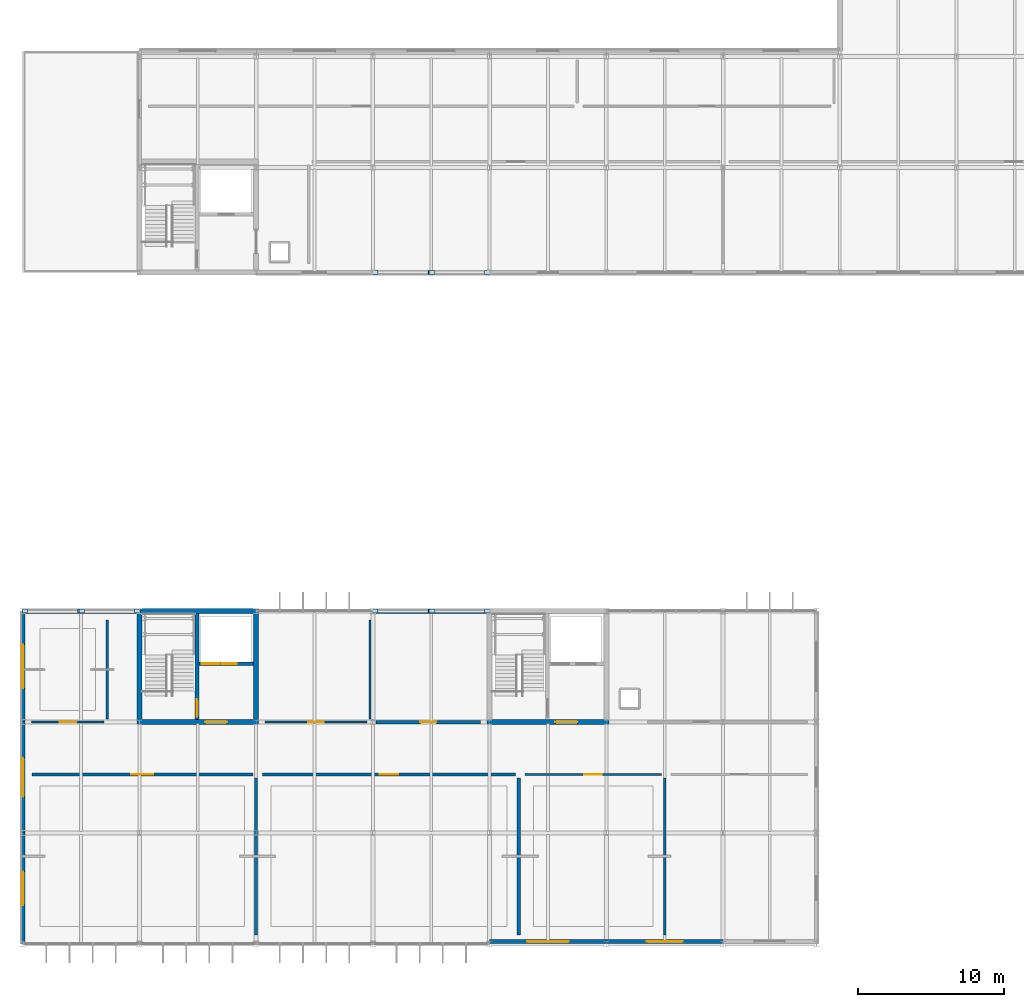
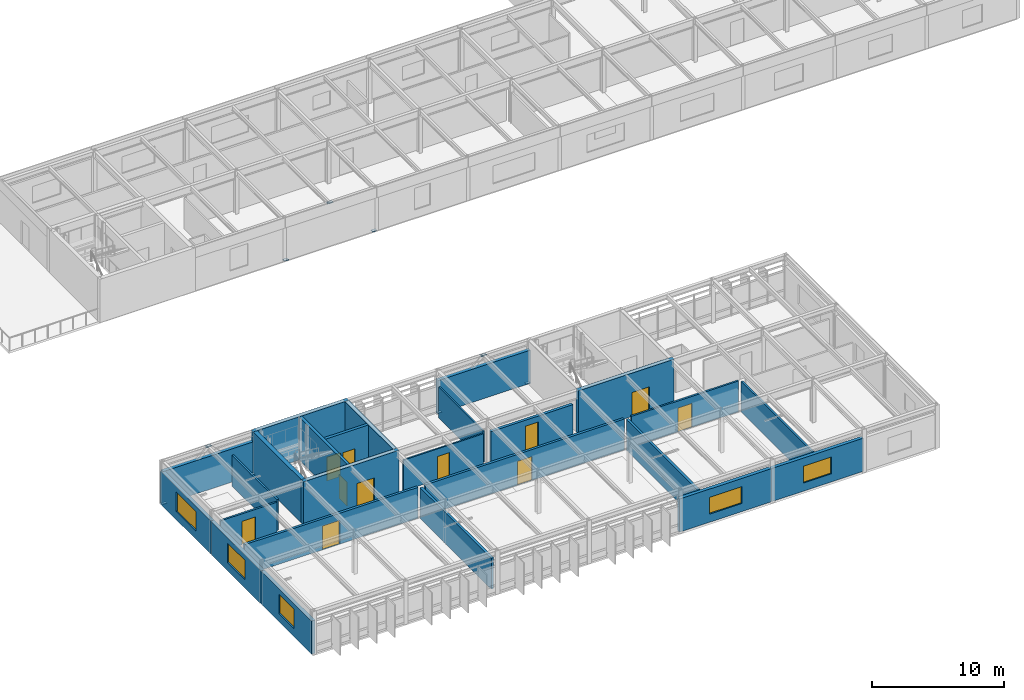
# One storey, part 23 of 33: 25 walls, 12 plates, 11 doors, 5 windows, 16 openings.
"""IFC4 building model written with IfcOpenShell, lengths in metres."""

import ifcopenshell
import ifcopenshell.guid

model = None  # the IFC model being written
_history = None  # IfcOwnerHistory: only IFC2X3 demands one
_inside = {}  # id of a spatial element -> (the spatial element, [elements in it])
_under = {}  # id of a project, library or spatial element -> (it, [spatial elements below it])
_declared = {}  # id of a project -> (the project, [libraries it declares])
_typed = {}  # id of a type object -> (the type object, [elements of that type])
_made_of = {}  # id of a material, layer set ... -> (it, [elements and type objects made of it])


def new_model(schema):
    """Start an empty IFC model of exactly this schema.

    Asked for "IFC4X3", IfcOpenShell would pick the latest addendum, in which some entities
    have other attributes; the version numbers below select the first issue.
    IFC2X3 requires an IfcOwnerHistory on every rooted entity: one is made here for all.
    """
    global model, _history
    if schema == "IFC4X3":
        model = ifcopenshell.file(schema_version=(4, 3, 0, 0))
    else:
        model = ifcopenshell.file(schema=schema)
    _inside.clear()
    _under.clear()
    _declared.clear()
    _typed.clear()
    _made_of.clear()
    _history = None
    if model.schema == "IFC2X3":
        org = make("IfcOrganization", Name="unknown")
        user = make(
            "IfcPersonAndOrganization",
            ThePerson=make("IfcPerson", FamilyName="unknown"),
            TheOrganization=org,
        )
        app = make(
            "IfcApplication",
            ApplicationDeveloper=org,
            Version="unknown",
            ApplicationFullName="unknown",
            ApplicationIdentifier="unknown",
        )
        _history = make(
            "IfcOwnerHistory",
            OwningUser=user,
            OwningApplication=app,
            ChangeAction="ADDED",
            CreationDate=0,
        )
    return model


def make(cls, **values):
    """One entity of the class cls with the attributes given. An attribute that is None is left unset."""
    return model.create_entity(
        cls, **{name: value for name, value in values.items() if value is not None}
    )


def rooted(cls, **values):
    """An entity with a GlobalId (a new one), such as an element, a storey or a relation."""
    return make(cls, GlobalId=ifcopenshell.guid.new(), OwnerHistory=_history, **values)


def si_unit(unit_type, name, prefix=None):
    """IfcSIUnit, for example si_unit("LENGTHUNIT", "METRE", prefix="MILLI")."""
    return make("IfcSIUnit", UnitType=unit_type, Prefix=prefix, Name=name)


def assignment(units):
    """IfcUnitAssignment: the units of a project."""
    return None if units is None else make("IfcUnitAssignment", Units=units)


def point(xyz):
    """IfcCartesianPoint."""
    return None if xyz is None else make("IfcCartesianPoint", Coordinates=xyz)


def direction(xyz):
    """IfcDirection."""
    return None if xyz is None else make("IfcDirection", DirectionRatios=xyz)


def frame(location, z_axis=None, x_axis=None):
    """IfcAxis2Placement3D, a coordinate frame: its origin and axes. An axis left out is left unset."""
    return make(
        "IfcAxis2Placement3D",
        Location=point(location),
        Axis=direction(z_axis),
        RefDirection=direction(x_axis),
    )


def frame_2d(location, x_axis=None):
    """IfcAxis2Placement2D, a coordinate frame in the plane: its origin and x axis."""
    return make(
        "IfcAxis2Placement2D", Location=point(location), RefDirection=direction(x_axis)
    )


def origin():
    """The frame at (0, 0, 0) with its axes left unset."""
    return frame((0.0, 0.0, 0.0))


def origin_2d():
    """The frame at (0, 0) in the plane with its x axis left unset."""
    return frame_2d((0.0, 0.0))


def place(relative_to, where):
    """IfcLocalPlacement: puts the frame where relative to a parent placement (None: the world)."""
    return make(
        "IfcLocalPlacement", PlacementRelTo=relative_to, RelativePlacement=where
    )


def context(
    kind, dimensions, precision=None, world=None, true_north=None, identifier=None
):
    """IfcGeometricRepresentationContext, for example the 3D "Model" context."""
    return make(
        "IfcGeometricRepresentationContext",
        ContextIdentifier=identifier,
        ContextType=kind,
        CoordinateSpaceDimension=dimensions,
        Precision=precision,
        WorldCoordinateSystem=world,
        TrueNorth=true_north,
    )


def subcontext(parent, identifier, kind, view, scale=None):
    """IfcGeometricRepresentationSubContext, for example "Body" below "Model"."""
    return make(
        "IfcGeometricRepresentationSubContext",
        ContextIdentifier=identifier,
        ContextType=kind,
        ParentContext=parent,
        TargetScale=scale,
        TargetView=view,
    )


def project(units=None, contexts=None):
    """IfcProject with its units and contexts."""
    return rooted(
        "IfcProject",
        Name="project",
        RepresentationContexts=contexts,
        UnitsInContext=assignment(units),
    )


def spatial(cls, under=None, at=None, **own):
    """A site, building, storey or space (cls), placed at a placement, below another one or the project."""
    s = rooted(cls, ObjectPlacement=at, **own)
    if under is not None:
        _under.setdefault(under.id(), (under, []))[1].append(s)
    return s


def profile(cls, at=None, kind="AREA", **sizes):
    """A parametric profile (cls). Its sizes go by their IFC names, for example OverallWidth=200.0."""
    return make(cls, ProfileType=kind, Position=at, **sizes)


def rectangle(**sizes):
    """IfcRectangleProfileDef."""
    return profile("IfcRectangleProfileDef", **sizes)


def extrude(swept, where, along, depth):
    """IfcExtrudedAreaSolid: the profile swept, set in the frame where, extruded along a direction by depth."""
    return make(
        "IfcExtrudedAreaSolid",
        SweptArea=swept,
        Position=where,
        ExtrudedDirection=direction(along),
        Depth=depth,
    )


def shape(context_of_items, identifier, shape_type, items):
    """IfcShapeRepresentation: the items that make up one representation, for example the "Body"."""
    return make(
        "IfcShapeRepresentation",
        ContextOfItems=context_of_items,
        RepresentationIdentifier=identifier,
        RepresentationType=shape_type,
        Items=items,
    )


def material(Name=None, Category=None):
    """IfcMaterial."""
    return make("IfcMaterial", Name=Name, Category=Category)


def layer(
    of_material, thickness, ventilated=None, Name=None, Category=None, Priority=None
):
    """IfcMaterialLayer: one layer of a wall or slab, of a material (None: an air gap)."""
    return make(
        "IfcMaterialLayer",
        Material=of_material,
        LayerThickness=thickness,
        IsVentilated=ventilated,
        Name=Name,
        Category=Category,
        Priority=Priority,
    )


def layer_set(layers, Name=None):
    """IfcMaterialLayerSet."""
    return make("IfcMaterialLayerSet", MaterialLayers=layers, LayerSetName=Name)


def made_of(thing, what):
    """Note that an element or type object is made of a material, layer set ...; save() writes the relation."""
    if what is not None:
        _made_of.setdefault(what.id(), (what, []))[1].append(thing)
    return thing


def type_object(cls, material=None, **own):
    """A type object (cls), such as IfcWallType, which elements share."""
    return made_of(rooted(cls, **own), material)


def element(
    cls,
    number,
    at=None,
    inside=None,
    cuts=None,
    type_object=None,
    material=None,
    context=None,
    identifier="Body",
    shape_type=None,
    held_by="IfcProductDefinitionShape",
    body=None,
    shapes=None,
    **own,
):
    """One element of the class cls, such as IfcWall. Its Tag is "e" and its number.

    at: its placement. inside: the storey or other place that contains it. cuts: it is an
    opening in that element (IfcRelVoidsElement). A single representation is given by context,
    identifier, shape_type and body (its items); several are given by shapes. held_by: the class
    of the entity that holds the representations. save() writes the other relations.
    """
    e = rooted(cls, Tag="e%d" % number, ObjectPlacement=at, **own)
    if body is not None:
        shapes = [shape(context, identifier, shape_type, body)]
    if shapes is not None:
        e.Representation = make(held_by, Representations=shapes)
    if inside is not None:
        _inside.setdefault(inside.id(), (inside, []))[1].append(e)
    if cuts is not None:
        rooted(
            "IfcRelVoidsElement", RelatingBuildingElement=cuts, RelatedOpeningElement=e
        )
    if type_object is not None:
        _typed.setdefault(type_object.id(), (type_object, []))[1].append(e)
    return made_of(e, material)


def fill(opening, filler):
    """IfcRelFillsElement: the door or window that sits in an opening."""
    return rooted(
        "IfcRelFillsElement",
        RelatingOpeningElement=opening,
        RelatedBuildingElement=filler,
    )


def aggregate(whole, parts):
    """IfcRelAggregates: a whole, such as a stair, and the parts it consists of."""
    return rooted("IfcRelAggregates", RelatingObject=whole, RelatedObjects=parts)


def save(model, path):
    """Write the relations noted so far, then the file.

    IfcRelAggregates (storeys below a building ...), IfcRelContainedInSpatialStructure (elements
    in a storey), IfcRelDefinesByType, IfcRelAssociatesMaterial and IfcRelDeclares: one each for
    every whole, place, type object, material and project.
    """
    for whole, parts in _under.values():
        aggregate(whole, parts)
    for where, things in _inside.values():
        rooted(
            "IfcRelContainedInSpatialStructure",
            RelatedElements=things,
            RelatingStructure=where,
        )
    for kind, things in _typed.values():
        rooted("IfcRelDefinesByType", RelatedObjects=things, RelatingType=kind)
    for what, things in _made_of.values():
        rooted("IfcRelAssociatesMaterial", RelatedObjects=things, RelatingMaterial=what)
    for by, libraries in _declared.values():
        rooted("IfcRelDeclares", RelatingContext=by, RelatedDefinitions=libraries)
    model.write(path)


model = new_model("IFC4")

# Units and contexts
model_context = context("Model", 3, precision=1e-05, world=origin(), true_north=direction((0.0, 1.0)))
body_context = subcontext(model_context, "Body", "Model", "MODEL_VIEW")
ifc_project = project(units=[si_unit("LENGTHUNIT", "METRE"), si_unit("AREAUNIT", "SQUARE_METRE"), si_unit("VOLUMEUNIT", "CUBIC_METRE"), si_unit("PLANEANGLEUNIT", "RADIAN"), si_unit("MASSUNIT", "GRAM", prefix="KILO")], contexts=[model_context])

# Site, building, storey
site_placement = place(None, origin())
site = spatial("IfcSite", under=ifc_project, at=site_placement, CompositionType="ELEMENT")
building_placement = place(site_placement, origin())
building = spatial("IfcBuilding", under=site, at=building_placement, Name="Zulena Civic Courthouse", CompositionType="ELEMENT")
storey_placement = place(building_placement, frame((0.0, 0.0, 33.60009765625)))
storey = spatial("IfcBuildingStorey", under=building, at=storey_placement, Name="L07", CompositionType="ELEMENT", Elevation=33.60009765625)

# Plates
ifc_material_1 = material(Name="Steel ASTM A572 Grade 50", Category="steel")
ifc_layer_1 = layer(ifc_material_1, 0.02197265625)
ifc_layer_set_1 = layer_set([ifc_layer_1], Name="Steel ASTM A572 Grade 50")
plate_type = type_object("IfcPlateType", Name="GussetPlate_380x280x22", PredefinedType="SHEET", material=ifc_layer_set_1)
for number, where, z_axis, x_axis, name in (
    (1, (12.14990234375, 22.800048828125, -0.0009765625), (0.0, 0.0, 1.0), (1.0, 0.0, 0.0), "plate:br:V2:L07:0:0:0"),
    (2, (15.949951171875, 22.800048828125, 3.948974609375), (0.0, 0.0, 1.0), (1.0, 0.0, 0.0), "plate:br:V2:L07:0:0:1"),
    (3, (19.85009765625, 22.800048828125, -0.0009765625), (0.0, 0.0, 1.0), (1.0, 0.0, 0.0), "plate:br:V2:L07:0:1:0"),
    (4, (16.050048828125, 22.800048828125, 3.948974609375), (0.0, 0.0, 1.0), (1.0, 0.0, 0.0), "plate:br:V2:L07:0:1:1"),
    (5, (36.14990234375, 22.800048828125, -0.0009765625), (0.0, 0.0, 1.0), (1.0, 0.0, 0.0), "plate:br:V2:L07:1:0:0"),
    (6, (39.949951171875, 22.800048828125, 3.948974609375), (0.0, 0.0, 1.0), (1.0, 0.0, 0.0), "plate:br:V2:L07:1:0:1"),
    (7, (43.85009765625, 22.800048828125, -0.0009765625), (0.0, 0.0, 1.0), (1.0, 0.0, 0.0), "plate:br:V2:L07:1:1:0"),
    (8, (40.050048828125, 22.800048828125, 3.948974609375), (0.0, 0.0, 1.0), (1.0, 0.0, 0.0), "plate:br:V2:L07:1:1:1"),
    (9, (36.14990234375, 46.0, -0.0009765625), (0.0, 0.0, 1.0), (1.0, 0.0, 0.0), "plate:br:V5:L07:5:0:0"),
    (10, (39.949951171875, 46.0, 3.948974609375), (0.0, 0.0, 1.0), (1.0, 0.0, 0.0), "plate:br:V5:L07:5:0:1"),
    (11, (43.85009765625, 46.0, -0.0009765625), (0.0, 0.0, 1.0), (1.0, 0.0, 0.0), "plate:br:V5:L07:5:1:0"),
    (12, (40.050048828125, 46.0, 3.948974609375), (0.0, 0.0, 1.0), (1.0, 0.0, 0.0), "plate:br:V5:L07:5:1:1"),
):
    element("IfcPlate", number, at=place(storey_placement, frame(where, z_axis=z_axis, x_axis=x_axis)), inside=storey, type_object=plate_type, Name=name, PredefinedType="SHEET", context=body_context, shape_type="SweptSolid", body=[
        extrude(rectangle(XDim=0.3798828125, YDim=0.280029296875, at=origin_2d()), origin(), (0.0, 0.0, 1.0), 0.02197265625),
    ])

# Wall, opening, door
ifc_material_2 = material(Name="Concrete C40/50", Category="concrete")
ifc_layer_2 = layer(ifc_material_2, 0.25)
ifc_layer_set_2 = layer_set([ifc_layer_2], Name="Concrete C40/50")
wall_type_1 = type_object("IfcWallType", Name="CoreShearWall_RC250", PredefinedType="SHEAR", material=ifc_layer_set_2)
wall_1_placement = place(storey_placement, frame((23.949951171875, 15.375, 0.0), z_axis=(0.0, 0.0, 1.0), x_axis=(0.0, 1.0, 0.0)))
wall_1 = element("IfcWall", 13, at=wall_1_placement, inside=storey, type_object=wall_type_1, Name="cwall:K2A:L07:DIV", PredefinedType="SHEAR", context=body_context, shape_type="SweptSolid", body=[
    extrude(rectangle(XDim=7.25, YDim=0.25, at=frame_2d((3.625, 0.0))), origin(), (0.0, 0.0, 1.0), 3.989990234375),
])
opening_1_placement = place(wall_1_placement, frame((0.179931640625, 0.0, 0.0)))
opening_1 = element("IfcOpeningElement", 14, at=opening_1_placement, cuts=wall_1, Name="Opening ID07", PredefinedType="OPENING", context=body_context, shape_type="SweptSolid", body=[
    extrude(rectangle(XDim=1.199951171875, YDim=2.199951171875, at=frame_2d((0.60009765625, 1.10009765625))), frame((0.0, 0.135009765625, 0.0), z_axis=(0.0, -1.0, 0.0), x_axis=(1.0, 0.0, 0.0)), (0.0, 0.0, 1.0), 0.27001953125),
])
ifc_material_3 = material(Name="Fire-rated galvanised steel ASTM A653 Grade 50", Category="steel")
door_type_1 = type_object("IfcDoorType", Name="IntDoor_Stair_1200x2200", OperationType="NOTDEFINED", PredefinedType="DOOR", material=ifc_material_3)
door_1_placement = place(opening_1_placement, origin())
door_1 = element("IfcDoor", 15, at=door_1_placement, inside=storey, type_object=door_type_1, Name="door:stair:K2A:L07", OperationType="SINGLE_SWING_RIGHT", OverallHeight=2.199951171875, OverallWidth=1.199951171875, PredefinedType="DOOR", context=body_context, shape_type="SweptSolid", body=[
    extrude(rectangle(XDim=1.199951171875, YDim=2.199951171875, at=frame_2d((0.60009765625, 1.10009765625))), frame((0.0, 0.02490234375, 0.0), z_axis=(0.0, -1.0, 0.0), x_axis=(1.0, 0.0, 0.0)), (0.0, 0.0, 1.0), 0.050048828125),
])
fill(opening_1, door_1)

# Wall, openings, doors
wall_2_placement = place(storey_placement, frame((24.074951171875, 19.199951171875, 0.0), z_axis=(0.0, 0.0, 1.0), x_axis=(1.0, 0.0, 0.0)))
wall_2 = element("IfcWall", 16, at=wall_2_placement, inside=storey, type_object=wall_type_1, Name="cwall:K2A:L07:SHF", PredefinedType="SHEAR", context=body_context, shape_type="SweptSolid", body=[
    extrude(rectangle(XDim=3.75, YDim=0.25, at=frame_2d((1.875, 0.0))), origin(), (0.0, 0.0, 1.0), 3.989990234375),
])
opening_2_placement = place(wall_2_placement, frame((0.179931640625, 0.0, 0.0)))
opening_2 = element("IfcOpeningElement", 17, at=opening_2_placement, cuts=wall_2, Name="Opening LD01", PredefinedType="OPENING", context=body_context, shape_type="SweptSolid", body=[
    extrude(rectangle(XDim=1.199951171875, YDim=2.199951171875, at=frame_2d((0.60009765625, 1.10009765625))), frame((0.0, 0.135009765625, 0.0), z_axis=(0.0, -1.0, 0.0), x_axis=(1.0, 0.0, 0.0)), (0.0, 0.0, 1.0), 0.27001953125),
])
opening_3_placement = place(wall_2_placement, frame((1.550048828125, 0.0, 0.0)))
opening_3 = element("IfcOpeningElement", 18, at=opening_3_placement, cuts=wall_2, Name="Opening LD03", PredefinedType="OPENING", context=body_context, shape_type="SweptSolid", body=[
    extrude(rectangle(XDim=1.050048828125, YDim=2.199951171875, at=frame_2d((0.52490234375, 1.10009765625))), frame((0.0, 0.135009765625, 0.0), z_axis=(0.0, -1.0, 0.0), x_axis=(1.0, 0.0, 0.0)), (0.0, 0.0, 1.0), 0.27001953125),
])
door_type_2 = type_object("IfcDoorType", Name="LiftLandingDoor_FF_1200x2200", OperationType="SLIDING_TO_LEFT", PredefinedType="DOOR", material=ifc_material_3)
door_2_placement = place(opening_2_placement, origin())
door_2 = element("IfcDoor", 19, at=door_2_placement, inside=storey, type_object=door_type_2, Name="door:ld:FL-01:L07", OperationType="SLIDING_TO_LEFT", OverallHeight=2.199951171875, OverallWidth=1.199951171875, PredefinedType="DOOR", context=body_context, shape_type="SweptSolid", body=[
    extrude(rectangle(XDim=1.199951171875, YDim=2.199951171875, at=frame_2d((0.60009765625, 1.10009765625))), frame((0.0, 0.02490234375, 0.0), z_axis=(0.0, -1.0, 0.0), x_axis=(1.0, 0.0, 0.0)), (0.0, 0.0, 1.0), 0.050048828125),
])
fill(opening_2, door_2)
door_type_3 = type_object("IfcDoorType", Name="LiftLandingDoor_Jud_1050x2200", OperationType="SLIDING_TO_RIGHT", PredefinedType="DOOR", material=ifc_material_3)
door_3_placement = place(opening_3_placement, origin())
door_3 = element("IfcDoor", 20, at=door_3_placement, inside=storey, type_object=door_type_3, Name="door:ld:JL-01:L07", OperationType="SLIDING_TO_RIGHT", OverallHeight=2.199951171875, OverallWidth=1.050048828125, PredefinedType="DOOR", context=body_context, shape_type="SweptSolid", body=[
    extrude(rectangle(XDim=1.050048828125, YDim=2.199951171875, at=frame_2d((0.52490234375, 1.10009765625))), frame((0.0, 0.02490234375, 0.0), z_axis=(0.0, -1.0, 0.0), x_axis=(1.0, 0.0, 0.0)), (0.0, 0.0, 1.0), 0.050048828125),
])
fill(opening_3, door_3)

# Wall, opening, door
ifc_layer_3 = layer(ifc_material_2, 0.35009765625)
ifc_layer_set_3 = layer_set([ifc_layer_3], Name="Concrete C40/50")
wall_type_2 = type_object("IfcWallType", Name="CoreShearWall_RC350", PredefinedType="SHEAR", material=ifc_layer_set_3)
wall_3_placement = place(storey_placement, frame((19.824951171875, 15.199951171875, 0.0), z_axis=(0.0, 0.0, 1.0), x_axis=(1.0, 0.0, 0.0)))
wall_3 = element("IfcWall", 21, at=wall_3_placement, inside=storey, type_object=wall_type_2, Name="cwall:K2A:L07:S", PredefinedType="SHEAR", context=body_context, shape_type="SweptSolid", body=[
    extrude(rectangle(XDim=8.35009765625, YDim=0.35009765625, at=frame_2d((4.175048828125, 0.0))), origin(), (0.0, 0.0, 1.0), 3.989990234375),
])
opening_4_placement = place(wall_3_placement, frame((4.68505859375, 0.0, 0.0)))
opening_4 = element("IfcOpeningElement", 22, at=opening_4_placement, cuts=wall_3, Name="Opening ID05", PredefinedType="OPENING", context=body_context, shape_type="SweptSolid", body=[
    extrude(rectangle(XDim=1.5, YDim=2.199951171875, at=frame_2d((0.75, 1.10009765625))), frame((0.0, 0.18505859375, 0.0), z_axis=(0.0, -1.0, 0.0), x_axis=(1.0, 0.0, 0.0)), (0.0, 0.0, 1.0), 0.3701171875),
])
door_type_4 = type_object("IfcDoorType", Name="IntDoor_FFLobby_1500x2200", OperationType="DOUBLE_DOOR_SINGLE_SWING", PredefinedType="DOOR", material=ifc_material_3)
door_4_placement = place(opening_4_placement, origin())
door_4 = element("IfcDoor", 23, at=door_4_placement, inside=storey, type_object=door_type_4, Name="door:corelob:K2A:L07", OperationType="DOUBLE_DOOR_SINGLE_SWING", OverallHeight=2.199951171875, OverallWidth=1.5, PredefinedType="DOOR", context=body_context, shape_type="SweptSolid", body=[
    extrude(rectangle(XDim=1.5, YDim=2.199951171875, at=frame_2d((0.75, 1.10009765625))), frame((0.0, 0.02490234375, 0.0), z_axis=(0.0, -1.0, 0.0), x_axis=(1.0, 0.0, 0.0)), (0.0, 0.0, 1.0), 0.050048828125),
])
fill(opening_4, door_4)

# Walls
wall_4_placement = place(storey_placement, frame((19.824951171875, 22.800048828125, 0.0), z_axis=(0.0, 0.0, 1.0), x_axis=(1.0, 0.0, 0.0)))
element("IfcWall", 24, at=wall_4_placement, inside=storey, type_object=wall_type_2, Name="cwall:K2A:L07:N", PredefinedType="SHEAR", context=body_context, shape_type="SweptSolid", body=[
    extrude(rectangle(XDim=8.35009765625, YDim=0.35009765625, at=frame_2d((4.175048828125, 0.0))), origin(), (0.0, 0.0, 1.0), 3.989990234375),
])
for number, where, z_axis, x_axis, name in (
    (25, (20.0, 15.375, 0.0), (0.0, 0.0, 1.0), (0.0, 1.0, 0.0), "cwall:K2A:L07:W"),
    (26, (28.0, 15.375, 0.0), (0.0, 0.0, 1.0), (0.0, 1.0, 0.0), "cwall:K2A:L07:E"),
):
    element("IfcWall", number, at=place(storey_placement, frame(where, z_axis=z_axis, x_axis=x_axis)), inside=storey, type_object=wall_type_2, Name=name, PredefinedType="SHEAR", context=body_context, shape_type="SweptSolid", body=[
        extrude(rectangle(XDim=7.25, YDim=0.35009765625, at=frame_2d((3.625, 0.0))), origin(), (0.0, 0.0, 1.0), 3.989990234375),
    ])

# Wall, opening, door
wall_5_placement = place(storey_placement, frame((43.824951171875, 15.199951171875, 0.0), z_axis=(0.0, 0.0, 1.0), x_axis=(1.0, 0.0, 0.0)))
wall_5 = element("IfcWall", 27, at=wall_5_placement, inside=storey, type_object=wall_type_2, Name="cwall:K2B:L07:S", PredefinedType="SHEAR", context=body_context, shape_type="SweptSolid", body=[
    extrude(rectangle(XDim=8.35009765625, YDim=0.35009765625, at=frame_2d((4.175048828125, 0.0))), origin(), (0.0, 0.0, 1.0), 3.989990234375),
])
opening_5_placement = place(wall_5_placement, frame((4.68505859375, 0.0, 0.0)))
opening_5 = element("IfcOpeningElement", 28, at=opening_5_placement, cuts=wall_5, Name="Opening ID05", PredefinedType="OPENING", context=body_context, shape_type="SweptSolid", body=[
    extrude(rectangle(XDim=1.5, YDim=2.199951171875, at=frame_2d((0.75, 1.10009765625))), frame((0.0, 0.18505859375, 0.0), z_axis=(0.0, -1.0, 0.0), x_axis=(1.0, 0.0, 0.0)), (0.0, 0.0, 1.0), 0.3701171875),
])
door_5_placement = place(opening_5_placement, origin())
door_5 = element("IfcDoor", 29, at=door_5_placement, inside=storey, type_object=door_type_4, Name="door:corelob:K2B:L07", OperationType="DOUBLE_DOOR_SINGLE_SWING", OverallHeight=2.199951171875, OverallWidth=1.5, PredefinedType="DOOR", context=body_context, shape_type="SweptSolid", body=[
    extrude(rectangle(XDim=1.5, YDim=2.199951171875, at=frame_2d((0.75, 1.10009765625))), frame((0.0, 0.02490234375, 0.0), z_axis=(0.0, -1.0, 0.0), x_axis=(1.0, 0.0, 0.0)), (0.0, 0.0, 1.0), 0.050048828125),
])
fill(opening_5, door_5)

# Wall, opening, window
ifc_material_4 = material(Name="White architectural precast concrete C40/50", Category="concrete")
ifc_layer_4 = layer(ifc_material_4, 0.300048828125)
ifc_layer_set_4 = layer_set([ifc_layer_4], Name="White architectural precast concrete C40/50")
wall_type_3 = type_object("IfcWallType", Name="ExtWall_WhitePrecast_300", PredefinedType="STANDARD", material=ifc_layer_set_4)
wall_6_placement = place(storey_placement, frame((12.0, -0.02001953125, 0.0), z_axis=(0.0, 0.0, 1.0), x_axis=(0.0, 1.0, 0.0)))
wall_6 = element("IfcWall", 30, at=wall_6_placement, inside=storey, type_object=wall_type_3, Name="ewall:V2:L07:0:0", PredefinedType="STANDARD", context=body_context, shape_type="SweptSolid", body=[
    extrude(rectangle(XDim=7.64013671875, YDim=0.300048828125, at=frame_2d((3.820068359375, 0.0))), origin(), (0.0, 0.0, 1.0), 3.059814453125),
])
opening_6_placement = place(wall_6_placement, frame((2.669921875, 0.0, 0.75)))
opening_6 = element("IfcOpeningElement", 31, at=opening_6_placement, cuts=wall_6, Name="Opening WN20", PredefinedType="OPENING", context=body_context, shape_type="SweptSolid", body=[
    extrude(rectangle(XDim=2.300048828125, YDim=1.800048828125, at=frame_2d((1.14990234375, 0.89990234375))), frame((0.0, 0.159912109375, 0.0), z_axis=(0.0, -1.0, 0.0), x_axis=(1.0, 0.0, 0.0)), (0.0, 0.0, 1.0), 0.320068359375),
])
ifc_material_5 = material(Name="Double-silver low-E laminated solar-control glass", Category="glass")
window_type_1 = type_object("IfcWindowType", Name="Win_2300x1800", PartitioningType="DOUBLE_PANEL_VERTICAL", PredefinedType="WINDOW", material=ifc_material_5)
window_1_placement = place(opening_6_placement, origin())
window_1 = element("IfcWindow", 32, at=window_1_placement, inside=storey, type_object=window_type_1, Name="win:V2:L07:0:0", OverallHeight=1.800048828125, OverallWidth=2.300048828125, PartitioningType="SINGLE_PANEL", PredefinedType="WINDOW", context=body_context, shape_type="SweptSolid", body=[
    extrude(rectangle(XDim=2.300048828125, YDim=1.800048828125, at=frame_2d((1.14990234375, 0.89990234375))), frame((0.0, 0.030029296875, 0.0), z_axis=(0.0, -1.0, 0.0), x_axis=(1.0, 0.0, 0.0)), (0.0, 0.0, 1.0), 0.06005859375),
])
fill(opening_6, window_1)

wall_7_placement = place(storey_placement, frame((12.0, 7.580078125, 0.0), z_axis=(0.0, 0.0, 1.0), x_axis=(0.0, 1.0, 0.0)))
wall_7 = element("IfcWall", 33, at=wall_7_placement, inside=storey, type_object=wall_type_3, Name="ewall:V2:L07:0:1", PredefinedType="STANDARD", context=body_context, shape_type="SweptSolid", body=[
    extrude(rectangle(XDim=7.639892578125, YDim=0.300048828125, at=frame_2d((3.81982421875, 0.0))), origin(), (0.0, 0.0, 1.0), 3.059814453125),
])
opening_7_placement = place(wall_7_placement, frame((2.4951171875, 0.0, 0.75)))
opening_7 = element("IfcOpeningElement", 34, at=opening_7_placement, cuts=wall_7, Name="Opening WN21", PredefinedType="OPENING", context=body_context, shape_type="SweptSolid", body=[
    extrude(rectangle(XDim=2.64990234375, YDim=1.800048828125, at=frame_2d((1.324951171875, 0.89990234375))), frame((0.0, 0.159912109375, 0.0), z_axis=(0.0, -1.0, 0.0), x_axis=(1.0, 0.0, 0.0)), (0.0, 0.0, 1.0), 0.320068359375),
])
window_type_2 = type_object("IfcWindowType", Name="Win_2650x1800", PartitioningType="DOUBLE_PANEL_VERTICAL", PredefinedType="WINDOW", material=ifc_material_5)
window_2_placement = place(opening_7_placement, origin())
window_2 = element("IfcWindow", 35, at=window_2_placement, inside=storey, type_object=window_type_2, Name="win:V2:L07:0:1", OverallHeight=1.800048828125, OverallWidth=2.64990234375, PartitioningType="SINGLE_PANEL", PredefinedType="WINDOW", context=body_context, shape_type="SweptSolid", body=[
    extrude(rectangle(XDim=2.64990234375, YDim=1.800048828125, at=frame_2d((1.324951171875, 0.89990234375))), frame((0.0, 0.030029296875, 0.0), z_axis=(0.0, -1.0, 0.0), x_axis=(1.0, 0.0, 0.0)), (0.0, 0.0, 1.0), 0.06005859375),
])
fill(opening_7, window_2)

wall_8_placement = place(storey_placement, frame((12.0, 15.179931640625, 0.0), z_axis=(0.0, 0.0, 1.0), x_axis=(0.0, 1.0, 0.0)))
wall_8 = element("IfcWall", 36, at=wall_8_placement, inside=storey, type_object=wall_type_3, Name="ewall:V2:L07:0:2", PredefinedType="STANDARD", context=body_context, shape_type="SweptSolid", body=[
    extrude(rectangle(XDim=7.64013671875, YDim=0.300048828125, at=frame_2d((3.820068359375, 0.0))), origin(), (0.0, 0.0, 1.0), 3.059814453125),
])
opening_8_placement = place(wall_8_placement, frame((2.320068359375, 0.0, 0.75)))
opening_8 = element("IfcOpeningElement", 37, at=opening_8_placement, cuts=wall_8, Name="Opening WN22", PredefinedType="OPENING", context=body_context, shape_type="SweptSolid", body=[
    extrude(rectangle(XDim=3.0, YDim=1.800048828125, at=frame_2d((1.5, 0.89990234375))), frame((0.0, 0.159912109375, 0.0), z_axis=(0.0, -1.0, 0.0), x_axis=(1.0, 0.0, 0.0)), (0.0, 0.0, 1.0), 0.320068359375),
])
window_type_3 = type_object("IfcWindowType", Name="Win_3000x1800", PartitioningType="DOUBLE_PANEL_VERTICAL", PredefinedType="WINDOW", material=ifc_material_5)
window_3_placement = place(opening_8_placement, origin())
window_3 = element("IfcWindow", 38, at=window_3_placement, inside=storey, type_object=window_type_3, Name="win:V2:L07:0:2", OverallHeight=1.800048828125, OverallWidth=3.0, PartitioningType="SINGLE_PANEL", PredefinedType="WINDOW", context=body_context, shape_type="SweptSolid", body=[
    extrude(rectangle(XDim=3.0, YDim=1.800048828125, at=frame_2d((1.5, 0.89990234375))), frame((0.0, 0.030029296875, 0.0), z_axis=(0.0, -1.0, 0.0), x_axis=(1.0, 0.0, 0.0)), (0.0, 0.0, 1.0), 0.06005859375),
])
fill(opening_8, window_3)

# Walls
for number, where, z_axis, x_axis, name in (
    (39, (11.97998046875, 22.800048828125, 0.0), (0.0, 0.0, 1.0), (1.0, 0.0, 0.0), "ewall:V2:L07:1:0"),
    (40, (35.97998046875, 22.800048828125, 0.0), (0.0, 0.0, 1.0), (1.0, 0.0, 0.0), "ewall:V2:L07:1:3"),
):
    element("IfcWall", number, at=place(storey_placement, frame(where, z_axis=z_axis, x_axis=x_axis)), inside=storey, type_object=wall_type_3, Name=name, PredefinedType="STANDARD", context=body_context, shape_type="SweptSolid", body=[
        extrude(rectangle(XDim=8.0400390625, YDim=0.300048828125, at=frame_2d((4.02001953125, 0.0))), origin(), (0.0, 0.0, 1.0), 3.059814453125),
    ])

# Wall, opening, window
wall_9_placement = place(storey_placement, frame((60.02001953125, 0.159912109375, 0.0), z_axis=(0.0, 0.0, 1.0), x_axis=(-1.0, 0.0, 0.0)))
wall_9 = element("IfcWall", 41, at=wall_9_placement, inside=storey, type_object=wall_type_3, Name="ewall:V2:L07:3:1", PredefinedType="STANDARD", context=body_context, shape_type="SweptSolid", body=[
    extrude(rectangle(XDim=8.0400390625, YDim=0.300048828125, at=frame_2d((4.02001953125, 0.0))), origin(), (0.0, 0.0, 1.0), 3.059814453125),
])
opening_9_placement = place(wall_9_placement, frame((2.794921875, 0.0, 0.75)))
opening_9 = element("IfcOpeningElement", 42, at=opening_9_placement, cuts=wall_9, Name="Opening WN27", PredefinedType="OPENING", context=body_context, shape_type="SweptSolid", body=[
    extrude(rectangle(XDim=2.449951171875, YDim=1.550048828125, at=frame_2d((1.22509765625, 0.77490234375))), frame((0.0, 0.159912109375, 0.0), z_axis=(0.0, -1.0, 0.0), x_axis=(1.0, 0.0, 0.0)), (0.0, 0.0, 1.0), 0.320068359375),
])
window_type_4 = type_object("IfcWindowType", Name="Win_2450x1550", PartitioningType="DOUBLE_PANEL_VERTICAL", PredefinedType="WINDOW", material=ifc_material_5)
window_4_placement = place(opening_9_placement, origin())
window_4 = element("IfcWindow", 43, at=window_4_placement, inside=storey, type_object=window_type_4, Name="win:V2:L07:3:1", OverallHeight=1.550048828125, OverallWidth=2.449951171875, PartitioningType="SINGLE_PANEL", PredefinedType="WINDOW", context=body_context, shape_type="SweptSolid", body=[
    extrude(rectangle(XDim=2.449951171875, YDim=1.550048828125, at=frame_2d((1.22509765625, 0.77490234375))), frame((0.0, 0.030029296875, 0.0), z_axis=(0.0, -1.0, 0.0), x_axis=(1.0, 0.0, 0.0)), (0.0, 0.0, 1.0), 0.06005859375),
])
fill(opening_9, window_4)

wall_10_placement = place(storey_placement, frame((52.02001953125, 0.159912109375, 0.0), z_axis=(0.0, 0.0, 1.0), x_axis=(-1.0, 0.0, 0.0)))
wall_10 = element("IfcWall", 44, at=wall_10_placement, inside=storey, type_object=wall_type_3, Name="ewall:V2:L07:3:2", PredefinedType="STANDARD", context=body_context, shape_type="SweptSolid", body=[
    extrude(rectangle(XDim=8.0400390625, YDim=0.300048828125, at=frame_2d((4.02001953125, 0.0))), origin(), (0.0, 0.0, 1.0), 3.059814453125),
])
opening_10_placement = place(wall_10_placement, frame((2.594970703125, 0.0, 0.75)))
opening_10 = element("IfcOpeningElement", 45, at=opening_10_placement, cuts=wall_10, Name="Opening WN28", PredefinedType="OPENING", context=body_context, shape_type="SweptSolid", body=[
    extrude(rectangle(XDim=2.85009765625, YDim=1.550048828125, at=frame_2d((1.425048828125, 0.77490234375))), frame((0.0, 0.159912109375, 0.0), z_axis=(0.0, -1.0, 0.0), x_axis=(1.0, 0.0, 0.0)), (0.0, 0.0, 1.0), 0.320068359375),
])
window_type_5 = type_object("IfcWindowType", Name="Win_2850x1550", PartitioningType="DOUBLE_PANEL_VERTICAL", PredefinedType="WINDOW", material=ifc_material_5)
window_5_placement = place(opening_10_placement, origin())
window_5 = element("IfcWindow", 46, at=window_5_placement, inside=storey, type_object=window_type_5, Name="win:V2:L07:3:2", OverallHeight=1.550048828125, OverallWidth=2.85009765625, PartitioningType="SINGLE_PANEL", PredefinedType="WINDOW", context=body_context, shape_type="SweptSolid", body=[
    extrude(rectangle(XDim=2.85009765625, YDim=1.550048828125, at=frame_2d((1.425048828125, 0.77490234375))), frame((0.0, 0.030029296875, 0.0), z_axis=(0.0, -1.0, 0.0), x_axis=(1.0, 0.0, 0.0)), (0.0, 0.0, 1.0), 0.06005859375),
])
fill(opening_10, window_5)

# Wall, opening, door
ifc_material_6 = material(Name="Acoustic fire-rated gypsum board assembly", Category="masonry")
ifc_layer_5 = layer(ifc_material_6, 0.215087890625)
ifc_layer_set_5 = layer_set([ifc_layer_5], Name="Acoustic fire-rated gypsum board assembly")
wall_type_4 = type_object("IfcWallType", Name="PartWall_CourtAcoustic_215", PredefinedType="PARTITIONING", material=ifc_layer_set_5)
wall_11_placement = place(storey_placement, frame((12.6201171875, 11.60009765625, 0.0), z_axis=(0.0, 0.0, 1.0), x_axis=(1.0, 0.0, 0.0)))
wall_11 = element("IfcWall", 47, at=wall_11_placement, inside=storey, type_object=wall_type_4, Name="pwall:L07:349:0", PredefinedType="PARTITIONING", context=body_context, shape_type="SweptSolid", body=[
    extrude(rectangle(XDim=15.159912109375, YDim=0.215087890625, at=frame_2d((7.580078125, 0.0))), origin(), (0.0, 0.0, 1.0), 2.849853515625),
])
opening_11_placement = place(wall_11_placement, frame((6.830078125, 0.0, 0.0)))
opening_11 = element("IfcOpeningElement", 48, at=opening_11_placement, cuts=wall_11, Name="Opening ID05", PredefinedType="OPENING", context=body_context, shape_type="SweptSolid", body=[
    extrude(rectangle(XDim=1.5, YDim=2.199951171875, at=frame_2d((0.75, 1.10009765625))), frame((0.0, 0.117431640625, 0.0), z_axis=(0.0, -1.0, 0.0), x_axis=(1.0, 0.0, 0.0)), (0.0, 0.0, 1.0), 0.235107421875),
])
door_6_placement = place(opening_11_placement, origin())
door_6 = element("IfcDoor", 49, at=door_6_placement, inside=storey, type_object=door_type_4, Name="door:rm:L07:349", OperationType="DOUBLE_DOOR_SINGLE_SWING", OverallHeight=2.199951171875, OverallWidth=1.5, PredefinedType="DOOR", context=body_context, shape_type="SweptSolid", body=[
    extrude(rectangle(XDim=1.5, YDim=2.199951171875, at=frame_2d((0.75, 1.10009765625))), frame((0.0, 0.02490234375, 0.0), z_axis=(0.0, -1.0, 0.0), x_axis=(1.0, 0.0, 0.0)), (0.0, 0.0, 1.0), 0.050048828125),
])
fill(opening_11, door_6)

# Wall
wall_12_placement = place(storey_placement, frame((28.0, 0.6201171875, 0.0), z_axis=(0.0, 0.0, 1.0), x_axis=(0.0, 1.0, 0.0)))
element("IfcWall", 50, at=wall_12_placement, inside=storey, type_object=wall_type_4, Name="pwall:L07:349:1", PredefinedType="PARTITIONING", context=body_context, shape_type="SweptSolid", body=[
    extrude(rectangle(XDim=10.759765625, YDim=0.215087890625, at=frame_2d((5.3798828125, 0.0))), origin(), (0.0, 0.0, 1.0), 2.849853515625),
])

# Wall, opening, door
wall_13_placement = place(storey_placement, frame((28.419921875, 11.60009765625, 0.0), z_axis=(0.0, 0.0, 1.0), x_axis=(1.0, 0.0, 0.0)))
wall_13 = element("IfcWall", 51, at=wall_13_placement, inside=storey, type_object=wall_type_4, Name="pwall:L07:350:0", PredefinedType="PARTITIONING", context=body_context, shape_type="SweptSolid", body=[
    extrude(rectangle(XDim=17.360107421875, YDim=0.215087890625, at=frame_2d((8.68017578125, 0.0))), origin(), (0.0, 0.0, 1.0), 2.849853515625),
])
opening_12_placement = place(wall_13_placement, frame((8.054931640625, 0.0, 0.0)))
opening_12 = element("IfcOpeningElement", 52, at=opening_12_placement, cuts=wall_13, Name="Opening ID06", PredefinedType="OPENING", context=body_context, shape_type="SweptSolid", body=[
    extrude(rectangle(XDim=1.25, YDim=2.199951171875, at=frame_2d((0.625, 1.10009765625))), frame((0.0, 0.117431640625, 0.0), z_axis=(0.0, -1.0, 0.0), x_axis=(1.0, 0.0, 0.0)), (0.0, 0.0, 1.0), 0.235107421875),
])
door_type_5 = type_object("IfcDoorType", Name="IntDoor_Stair_1250x2200", OperationType="NOTDEFINED", PredefinedType="DOOR", material=ifc_material_3)
door_7_placement = place(opening_12_placement, origin())
door_7 = element("IfcDoor", 53, at=door_7_placement, inside=storey, type_object=door_type_5, Name="door:rm:L07:350", OperationType="SINGLE_SWING_RIGHT", OverallHeight=2.199951171875, OverallWidth=1.25, PredefinedType="DOOR", context=body_context, shape_type="SweptSolid", body=[
    extrude(rectangle(XDim=1.25, YDim=2.199951171875, at=frame_2d((0.625, 1.10009765625))), frame((0.0, 0.02490234375, 0.0), z_axis=(0.0, -1.0, 0.0), x_axis=(1.0, 0.0, 0.0)), (0.0, 0.0, 1.0), 0.050048828125),
])
fill(opening_12, door_7)

# Wall
wall_14_placement = place(storey_placement, frame((46.0, 0.6201171875, 0.0), z_axis=(0.0, 0.0, 1.0), x_axis=(0.0, 1.0, 0.0)))
element("IfcWall", 54, at=wall_14_placement, inside=storey, type_object=wall_type_4, Name="pwall:L07:350:1", PredefinedType="PARTITIONING", context=body_context, shape_type="SweptSolid", body=[
    extrude(rectangle(XDim=10.759765625, YDim=0.215087890625, at=frame_2d((5.3798828125, 0.0))), origin(), (0.0, 0.0, 1.0), 2.849853515625),
])

# Wall, opening, door
ifc_material_7 = material(Name="Insulated blockwork masonry ASTM C90", Category="masonry")
ifc_layer_6 = layer(ifc_material_7, 0.239990234375)
ifc_layer_set_6 = layer_set([ifc_layer_6], Name="Insulated blockwork masonry ASTM C90")
wall_type_5 = type_object("IfcWallType", Name="PartWall_Custody_240", PredefinedType="PARTITIONING", material=ifc_layer_set_6)
wall_15_placement = place(storey_placement, frame((36.219970703125, 15.199951171875, 0.0), z_axis=(0.0, 0.0, 1.0), x_axis=(1.0, 0.0, 0.0)))
wall_15 = element("IfcWall", 55, at=wall_15_placement, inside=storey, type_object=wall_type_5, Name="pwall:L07:355:0", PredefinedType="PARTITIONING", context=body_context, shape_type="SweptSolid", body=[
    extrude(rectangle(XDim=7.159912109375, YDim=0.239990234375, at=frame_2d((3.580078125, 0.0))), origin(), (0.0, 0.0, 1.0), 2.849853515625),
])
opening_13_placement = place(wall_15_placement, frame((3.030029296875, 0.0, 0.0)))
opening_13 = element("IfcOpeningElement", 56, at=opening_13_placement, cuts=wall_15, Name="Opening ID11", PredefinedType="OPENING", context=body_context, shape_type="SweptSolid", body=[
    extrude(rectangle(XDim=1.10009765625, YDim=2.300048828125, at=frame_2d((0.550048828125, 1.14990234375))), frame((0.0, 0.1298828125, 0.0), z_axis=(0.0, -1.0, 0.0), x_axis=(1.0, 0.0, 0.0)), (0.0, 0.0, 1.0), 0.260009765625),
])
ifc_material_8 = material(Name="Solid-core acoustic hardwood timber", Category="wood")
door_type_6 = type_object("IfcDoorType", Name="IntDoor_Jury_1100x2300", OperationType="NOTDEFINED", PredefinedType="DOOR", material=ifc_material_8)
door_8_placement = place(opening_13_placement, origin())
door_8 = element("IfcDoor", 57, at=door_8_placement, inside=storey, type_object=door_type_6, Name="door:rm:L07:355", OperationType="SINGLE_SWING_LEFT", OverallHeight=2.300048828125, OverallWidth=1.10009765625, PredefinedType="DOOR", context=body_context, shape_type="SweptSolid", body=[
    extrude(rectangle(XDim=1.10009765625, YDim=2.300048828125, at=frame_2d((0.550048828125, 1.14990234375))), frame((0.0, 0.02490234375, 0.0), z_axis=(0.0, -1.0, 0.0), x_axis=(1.0, 0.0, 0.0)), (0.0, 0.0, 1.0), 0.050048828125),
])
fill(opening_13, door_8)

ifc_layer_7 = layer(ifc_material_6, 0.162109375)
ifc_layer_set_7 = layer_set([ifc_layer_7], Name="Acoustic fire-rated gypsum board assembly")
wall_type_6 = type_object("IfcWallType", Name="PartWall_Jury_162", PredefinedType="PARTITIONING", material=ifc_layer_set_7)
wall_16_placement = place(storey_placement, frame((46.419921875, 11.60009765625, 0.0), z_axis=(0.0, 0.0, 1.0), x_axis=(1.0, 0.0, 0.0)))
wall_16 = element("IfcWall", 58, at=wall_16_placement, inside=storey, type_object=wall_type_6, Name="pwall:L07:351:0", PredefinedType="PARTITIONING", context=body_context, shape_type="SweptSolid", body=[
    extrude(rectangle(XDim=9.360107421875, YDim=0.162109375, at=frame_2d((4.68017578125, 0.0))), origin(), (0.0, 0.0, 1.0), 2.849853515625),
])
opening_14_placement = place(wall_16_placement, frame((4.080078125, 0.0, 0.0)))
opening_14 = element("IfcOpeningElement", 59, at=opening_14_placement, cuts=wall_16, Name="Opening ID07", PredefinedType="OPENING", context=body_context, shape_type="SweptSolid", body=[
    extrude(rectangle(XDim=1.199951171875, YDim=2.199951171875, at=frame_2d((0.60009765625, 1.10009765625))), frame((0.0, 0.091064453125, 0.0), z_axis=(0.0, -1.0, 0.0), x_axis=(1.0, 0.0, 0.0)), (0.0, 0.0, 1.0), 0.18212890625),
])
door_9_placement = place(opening_14_placement, origin())
door_9 = element("IfcDoor", 60, at=door_9_placement, inside=storey, type_object=door_type_1, Name="door:rm:L07:351", OperationType="SINGLE_SWING_LEFT", OverallHeight=2.199951171875, OverallWidth=1.199951171875, PredefinedType="DOOR", context=body_context, shape_type="SweptSolid", body=[
    extrude(rectangle(XDim=1.199951171875, YDim=2.199951171875, at=frame_2d((0.60009765625, 1.10009765625))), frame((0.0, 0.02490234375, 0.0), z_axis=(0.0, -1.0, 0.0), x_axis=(1.0, 0.0, 0.0)), (0.0, 0.0, 1.0), 0.050048828125),
])
fill(opening_14, door_9)

# Wall
wall_17_placement = place(storey_placement, frame((56.0, 0.6201171875, 0.0), z_axis=(0.0, 0.0, 1.0), x_axis=(0.0, 1.0, 0.0)))
element("IfcWall", 61, at=wall_17_placement, inside=storey, type_object=wall_type_6, Name="pwall:L07:351:1", PredefinedType="PARTITIONING", context=body_context, shape_type="SweptSolid", body=[
    extrude(rectangle(XDim=10.759765625, YDim=0.162109375, at=frame_2d((5.3798828125, 0.0))), origin(), (0.0, 0.0, 1.0), 2.849853515625),
])

# Wall, opening, door
wall_18_placement = place(storey_placement, frame((12.6201171875, 15.199951171875, 0.0), z_axis=(0.0, 0.0, 1.0), x_axis=(1.0, 0.0, 0.0)))
wall_18 = element("IfcWall", 62, at=wall_18_placement, inside=storey, type_object=wall_type_6, Name="pwall:L07:353:0", PredefinedType="PARTITIONING", context=body_context, shape_type="SweptSolid", body=[
    extrude(rectangle(XDim=4.9599609375, YDim=0.162109375, at=frame_2d((2.47998046875, 0.0))), origin(), (0.0, 0.0, 1.0), 2.849853515625),
])
opening_15_placement = place(wall_18_placement, frame((1.905029296875, 0.0, 0.0)))
opening_15 = element("IfcOpeningElement", 63, at=opening_15_placement, cuts=wall_18, Name="Opening ID09", PredefinedType="OPENING", context=body_context, shape_type="SweptSolid", body=[
    extrude(rectangle(XDim=1.14990234375, YDim=2.14990234375, at=frame_2d((0.574951171875, 1.074951171875))), frame((0.0, 0.091064453125, 0.0), z_axis=(0.0, -1.0, 0.0), x_axis=(1.0, 0.0, 0.0)), (0.0, 0.0, 1.0), 0.18212890625),
])
door_type_7 = type_object("IfcDoorType", Name="IntDoor_Custody_1150x2150", OperationType="NOTDEFINED", PredefinedType="DOOR", material=ifc_material_3)
door_10_placement = place(opening_15_placement, origin())
door_10 = element("IfcDoor", 64, at=door_10_placement, inside=storey, type_object=door_type_7, Name="door:rm:L07:353", OperationType="SINGLE_SWING_LEFT", OverallHeight=2.14990234375, OverallWidth=1.14990234375, PredefinedType="DOOR", context=body_context, shape_type="SweptSolid", body=[
    extrude(rectangle(XDim=1.14990234375, YDim=2.14990234375, at=frame_2d((0.574951171875, 1.074951171875))), frame((0.0, 0.02490234375, 0.0), z_axis=(0.0, -1.0, 0.0), x_axis=(1.0, 0.0, 0.0)), (0.0, 0.0, 1.0), 0.050048828125),
])
fill(opening_15, door_10)

# Wall
wall_19_placement = place(storey_placement, frame((17.800048828125, 15.419921875, 0.0), z_axis=(0.0, 0.0, 1.0), x_axis=(0.0, 1.0, 0.0)))
element("IfcWall", 65, at=wall_19_placement, inside=storey, type_object=wall_type_6, Name="pwall:L07:353:1", PredefinedType="PARTITIONING", context=body_context, shape_type="SweptSolid", body=[
    extrude(rectangle(XDim=6.760009765625, YDim=0.162109375, at=frame_2d((3.3798828125, 0.0))), origin(), (0.0, 0.0, 1.0), 2.849853515625),
])

# Wall, opening, door
ifc_layer_8 = layer(ifc_material_7, 0.1279296875)
ifc_layer_set_8 = layer_set([ifc_layer_8], Name="Insulated blockwork masonry ASTM C90")
wall_type_7 = type_object("IfcWallType", Name="PartWall_WetRoom_128", PredefinedType="PARTITIONING", material=ifc_layer_set_8)
wall_20_placement = place(storey_placement, frame((28.6201171875, 15.199951171875, 0.0), z_axis=(0.0, 0.0, 1.0), x_axis=(1.0, 0.0, 0.0)))
wall_20 = element("IfcWall", 66, at=wall_20_placement, inside=storey, type_object=wall_type_7, Name="pwall:L07:354:0", PredefinedType="PARTITIONING", context=body_context, shape_type="SweptSolid", body=[
    extrude(rectangle(XDim=6.9599609375, YDim=0.1279296875, at=frame_2d((3.47998046875, 0.0))), origin(), (0.0, 0.0, 1.0), 2.849853515625),
])
opening_16_placement = place(wall_20_placement, frame((2.955078125, 0.0, 0.0)))
opening_16 = element("IfcOpeningElement", 67, at=opening_16_placement, cuts=wall_20, Name="Opening ID10", PredefinedType="OPENING", context=body_context, shape_type="SweptSolid", body=[
    extrude(rectangle(XDim=1.050048828125, YDim=2.14990234375, at=frame_2d((0.52490234375, 1.074951171875))), frame((0.0, 0.073974609375, 0.0), z_axis=(0.0, -1.0, 0.0), x_axis=(1.0, 0.0, 0.0)), (0.0, 0.0, 1.0), 0.14794921875),
])
door_type_8 = type_object("IfcDoorType", Name="IntDoor_Holding_1050x2150", OperationType="NOTDEFINED", PredefinedType="DOOR", material=ifc_material_3)
door_11_placement = place(opening_16_placement, origin())
door_11 = element("IfcDoor", 68, at=door_11_placement, inside=storey, type_object=door_type_8, Name="door:rm:L07:354", OperationType="SINGLE_SWING_RIGHT", OverallHeight=2.14990234375, OverallWidth=1.050048828125, PredefinedType="DOOR", context=body_context, shape_type="SweptSolid", body=[
    extrude(rectangle(XDim=1.050048828125, YDim=2.14990234375, at=frame_2d((0.52490234375, 1.074951171875))), frame((0.0, 0.02490234375, 0.0), z_axis=(0.0, -1.0, 0.0), x_axis=(1.0, 0.0, 0.0)), (0.0, 0.0, 1.0), 0.050048828125),
])
fill(opening_16, door_11)

# Wall
wall_21_placement = place(storey_placement, frame((35.800048828125, 15.419921875, 0.0), z_axis=(0.0, 0.0, 1.0), x_axis=(0.0, 1.0, 0.0)))
element("IfcWall", 69, at=wall_21_placement, inside=storey, type_object=wall_type_7, Name="pwall:L07:354:1", PredefinedType="PARTITIONING", context=body_context, shape_type="SweptSolid", body=[
    extrude(rectangle(XDim=6.760009765625, YDim=0.1279296875, at=frame_2d((3.3798828125, 0.0))), origin(), (0.0, 0.0, 1.0), 2.849853515625),
])

save(model, "model.ifc")
